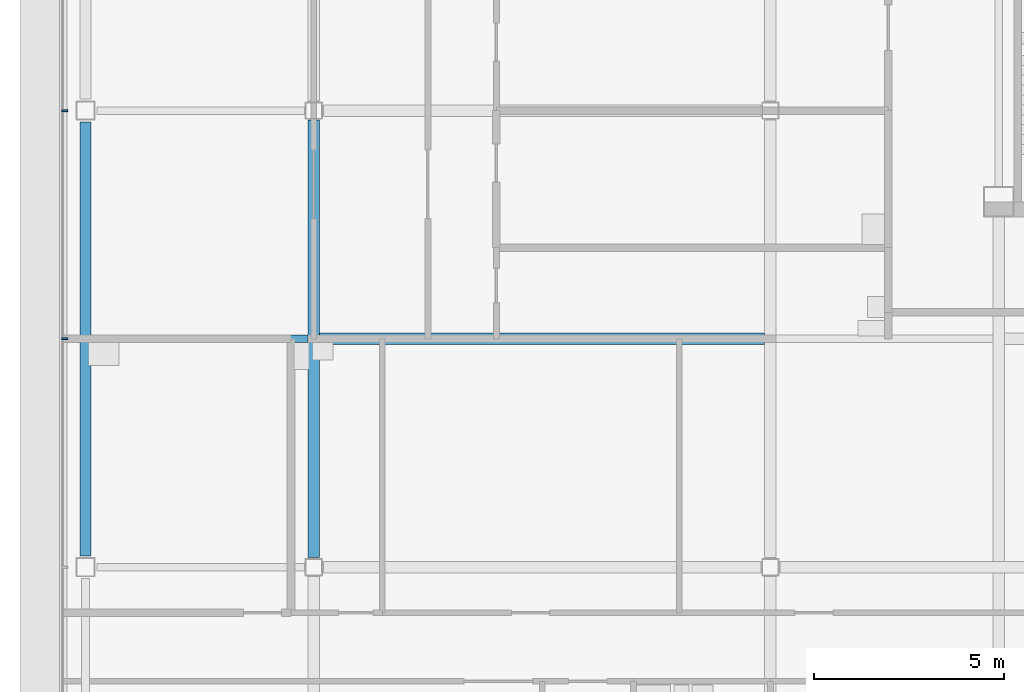
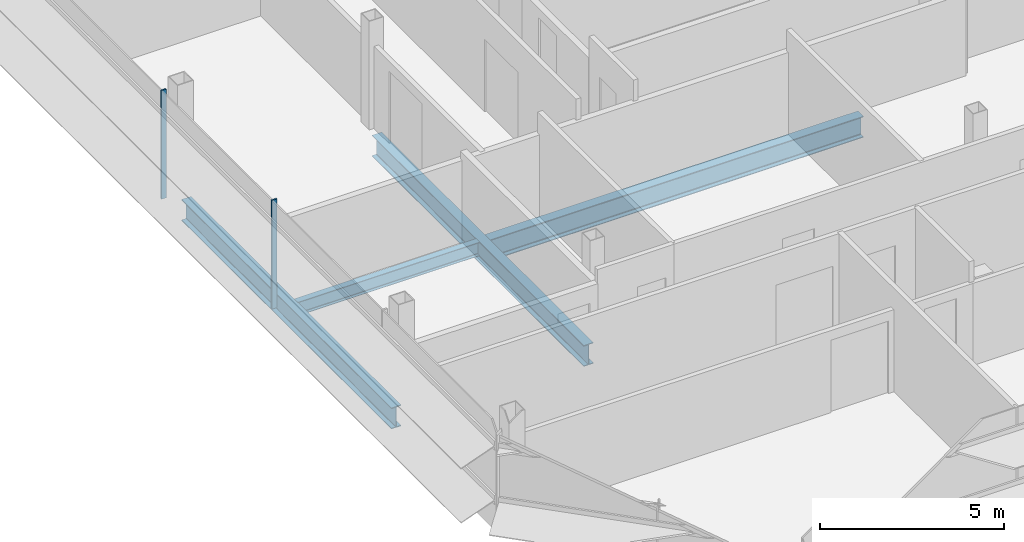
# One storey, part 6 of 28: 4 beams, 2 members, 1 element without a shape of its own.
"""IFC4 building model written with IfcOpenShell, lengths in metres."""

from ifc_helpers import new_model, si_unit, direction, frame, origin, origin_2d, place, context, subcontext, project, spatial, rectangle, i_section, extrude, material, material_profile, profile_set, type_object, element, aggregate, save


model = new_model("IFC4")

# Units and contexts
model_context = context("Model", 3, precision=1e-05, world=origin(), true_north=direction((0.0, 1.0)))
body_context = subcontext(model_context, "Body", "Model", "MODEL_VIEW")
ifc_project = project(units=[si_unit("LENGTHUNIT", "METRE"), si_unit("AREAUNIT", "SQUARE_METRE"), si_unit("VOLUMEUNIT", "CUBIC_METRE"), si_unit("PLANEANGLEUNIT", "RADIAN"), si_unit("MASSUNIT", "GRAM", prefix="KILO")], contexts=[model_context])

# Site, building, storey
site_placement = place(None, origin())
site = spatial("IfcSite", under=ifc_project, at=site_placement, CompositionType="ELEMENT")
building_placement = place(site_placement, origin())
building = spatial("IfcBuilding", under=site, at=building_placement, Name="Sorahane Residences", CompositionType="ELEMENT")
storey_placement = place(building_placement, frame((0.0, 0.0, 301.60009765625)))
storey = spatial("IfcBuildingStorey", under=building, at=storey_placement, Name="L71", CompositionType="ELEMENT", Elevation=301.60009765625)

# Curtain wall, members
ifc_material_1 = material(Name="Dark low-e glass and black anodised aluminium", Category="aluminium")
curtain_wall_type = type_object("IfcCurtainWallType", Name="Curtain wall CW-1 Typical unitised wall", PredefinedType="NOTDEFINED", material=ifc_material_1)
curtain_wall_placement = place(storey_placement, origin())
curtain_wall = element("IfcCurtainWall", 1, at=curtain_wall_placement, inside=storey, type_object=curtain_wall_type, Name="CW-1 curtain wall L71 W1", PredefinedType="NOTDEFINED")
ifc_material_2 = material(Name="Black anodised aluminium", Category="aluminium")
ifc_material_profile_1 = material_profile(ifc_material_2, rectangle(XDim=0.159912109375, YDim=0.050048828125, at=origin_2d()), Name="Curtain wall mullion CW-1 black anodised aluminium 50x160")
ifc_profile_set_1 = profile_set([ifc_material_profile_1], Name="Black anodised aluminium")
member_type = type_object("IfcMemberType", Name="Curtain wall mullion CW-1 black anodised aluminium 50x160", PredefinedType="MULLION", material=ifc_profile_set_1)
member_1_placement = place(storey_placement, frame((-18.5400390625, 24.0, -0.18017578125), z_axis=(0.0, 0.0, 1.0), x_axis=(-1.0, 0.0, 0.0)))
member_1 = element("IfcMember", 2, at=member_1_placement, type_object=member_type, Name="CW-1 mullion L71 W1.4", PredefinedType="MULLION", context=body_context, shape_type="SweptSolid", body=[
    extrude(rectangle(XDim=0.159912109375, YDim=0.050048828125, at=origin_2d()), origin(), (0.0, 0.0, 1.0), 3.60009765625),
])
member_2_placement = place(storey_placement, frame((-18.5400390625, 18.0, -0.18017578125), z_axis=(0.0, 0.0, 1.0), x_axis=(-1.0, 0.0, 0.0)))
member_2 = element("IfcMember", 3, at=member_2_placement, type_object=member_type, Name="CW-1 mullion L71 W1.5", PredefinedType="MULLION", context=body_context, shape_type="SweptSolid", body=[
    extrude(rectangle(XDim=0.159912109375, YDim=0.050048828125, at=origin_2d()), origin(), (0.0, 0.0, 1.0), 3.60009765625),
])
aggregate(curtain_wall, [member_1, member_2])

# Beams
ifc_material_3 = material(Name="Steel Q355B", Category="steel")
ifc_material_profile_2 = material_profile(ifc_material_3, i_section(OverallWidth=0.199951171875, OverallDepth=0.449951171875, WebThickness=0.009033203125, FlangeThickness=0.013916015625, FilletRadius=0.02001953125, at=origin_2d()), Name="HN 450x200x9x14")
ifc_profile_set_2 = profile_set([ifc_material_profile_2], Name="Steel Q355B")
beam_type_1 = type_object("IfcBeamType", Name="Steel floor beam HN 450x200x9x14 Q355B", PredefinedType="BEAM", material=ifc_profile_set_2)
beam_1_placement = place(storey_placement, frame((-17.85009765625, 18.0, -0.405029296875), z_axis=(1.0, 0.0, 0.0), x_axis=(0.0, 1.0, 0.0)))
element("IfcBeam", 4, at=beam_1_placement, inside=storey, type_object=beam_type_1, Name="Beam L71 076", PredefinedType="BEAM", context=body_context, shape_type="SweptSolid", body=[
    extrude(i_section(OverallWidth=0.199951171875, OverallDepth=0.449951171875, WebThickness=0.009033203125, FlangeThickness=0.013916015625, FilletRadius=0.02001953125, at=origin_2d()), origin(), (0.0, 0.0, 1.0), 5.7001953125),
])
ifc_material_4 = material(Name="Steel Q355B", Category="steel")
ifc_material_profile_3 = material_profile(ifc_material_4, i_section(OverallWidth=0.300048828125, OverallDepth=0.699951171875, WebThickness=0.012939453125, FlangeThickness=0.02392578125, FilletRadius=0.028076171875, at=origin_2d()), Name="HN 700x300x13x24")
ifc_profile_set_3 = profile_set([ifc_material_profile_3], Name="Steel Q355B")
beam_type_2 = type_object("IfcBeamType", Name="Steel floor beam HN 700x300x13x24 Q355B", PredefinedType="BEAM", material=ifc_profile_set_3)
beam_2_placement = place(storey_placement, frame((-18.0, 12.300048828125, -0.530029296875), z_axis=(0.0, 1.0, 0.0), x_axis=(-1.0, 0.0, 0.0)))
element("IfcBeam", 5, at=beam_2_placement, inside=storey, type_object=beam_type_2, Name="Beam L71 021", PredefinedType="BEAM", context=body_context, shape_type="SweptSolid", body=[
    extrude(i_section(OverallWidth=0.300048828125, OverallDepth=0.699951171875, WebThickness=0.012939453125, FlangeThickness=0.02392578125, FilletRadius=0.028076171875, at=origin_2d()), origin(), (0.0, 0.0, 1.0), 11.39990234375),
])
beam_3_placement = place(storey_placement, frame((-12.0, 12.25, -0.530029296875), z_axis=(0.0, 1.0, 0.0), x_axis=(-1.0, 0.0, 0.0)))
element("IfcBeam", 6, at=beam_3_placement, inside=storey, type_object=beam_type_2, Name="Beam L71 025", PredefinedType="BEAM", context=body_context, shape_type="SweptSolid", body=[
    extrude(i_section(OverallWidth=0.300048828125, OverallDepth=0.699951171875, WebThickness=0.012939453125, FlangeThickness=0.02392578125, FilletRadius=0.028076171875, at=origin_2d()), origin(), (0.0, 0.0, 1.0), 11.5),
])
beam_4_placement = place(storey_placement, frame((-11.85009765625, 18.0, -0.530029296875), z_axis=(1.0, 0.0, 0.0), x_axis=(0.0, 1.0, 0.0)))
element("IfcBeam", 7, at=beam_4_placement, inside=storey, type_object=beam_type_2, Name="Beam L71 077", PredefinedType="BEAM", context=body_context, shape_type="SweptSolid", body=[
    extrude(i_section(OverallWidth=0.300048828125, OverallDepth=0.699951171875, WebThickness=0.012939453125, FlangeThickness=0.02392578125, FilletRadius=0.028076171875, at=origin_2d()), origin(), (0.0, 0.0, 1.0), 11.7001953125),
])

save(model, "model.ifc")
